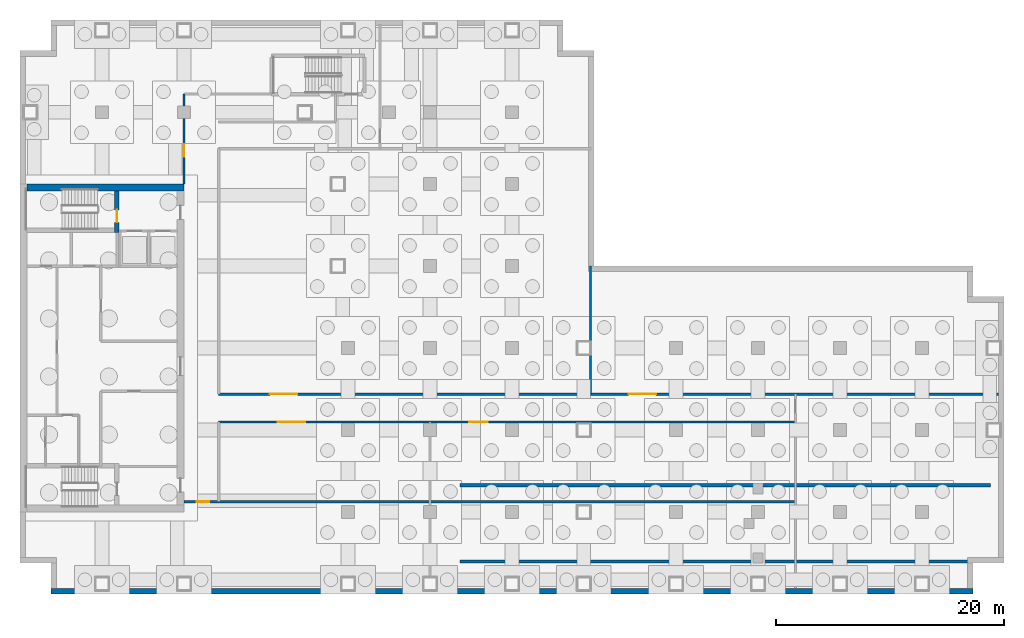
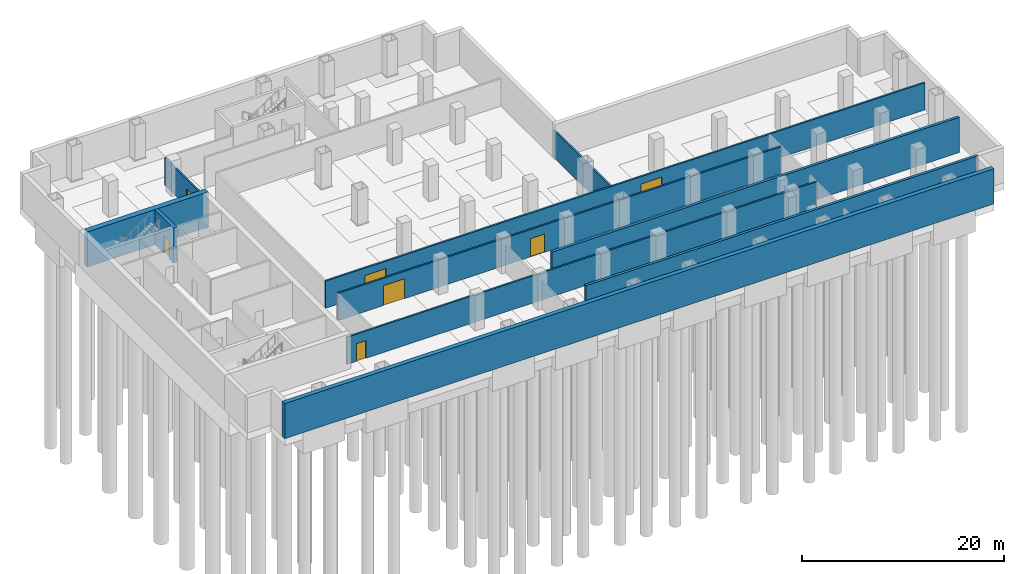
# One storey, part 6 of 11: 10 walls, 7 doors, 7 openings.
"""IFC4 building model written with IfcOpenShell, lengths in metres."""

from ifc_helpers import new_model, si_unit, direction, frame, frame_2d, origin, place, context, subcontext, project, spatial, rectangle, extrude, material, layer, layer_set, type_object, element, fill, save


model = new_model("IFC4")

# Units and contexts
model_context = context("Model", 3, precision=1e-05, world=origin(), true_north=direction((0.0, 1.0)))
body_context = subcontext(model_context, "Body", "Model", "MODEL_VIEW")
ifc_project = project(units=[si_unit("LENGTHUNIT", "METRE"), si_unit("AREAUNIT", "SQUARE_METRE"), si_unit("VOLUMEUNIT", "CUBIC_METRE"), si_unit("PLANEANGLEUNIT", "RADIAN"), si_unit("MASSUNIT", "GRAM", prefix="KILO")], contexts=[model_context])

# Site, building, storey
site_placement = place(None, origin())
site = spatial("IfcSite", under=ifc_project, at=site_placement, CompositionType="ELEMENT")
building_placement = place(site_placement, origin())
building = spatial("IfcBuilding", under=site, at=building_placement, Name="Cobrela Telecom Tower", CompositionType="ELEMENT")
storey_placement = place(building_placement, frame((0.0, 0.0, -9.10009765625)))
storey = spatial("IfcBuildingStorey", under=building, at=storey_placement, Name="B2", CompositionType="ELEMENT", Elevation=-9.10009765625)

# Walls
ifc_material_1 = material(Name="Concrete C50/60", Category="concrete")
ifc_layer_1 = layer(ifc_material_1, 0.60009765625)
ifc_layer_set_1 = layer_set([ifc_layer_1], Name="Concrete C50/60")
wall_type_1 = type_object("IfcWallType", Name="WALL-CORE-C50-600", PredefinedType="SHEAR", material=ifc_layer_set_1)
wall_1_placement = place(storey_placement, frame((0.60009765625, 35.699951171875, 0.0), z_axis=(0.0, 0.0, 1.0), x_axis=(1.0, 0.0, 0.0)))
element("IfcWall", 1, at=wall_1_placement, inside=storey, type_object=wall_type_1, Name="B2 North Core Shear Wall", PredefinedType="SHEAR", context=body_context, shape_type="SweptSolid", body=[
    extrude(rectangle(XDim=13.7998046875, YDim=0.60009765625, at=frame_2d((6.89990234375, 0.0))), origin(), (0.0, 0.0, 1.0), 4.25),
])
ifc_material_2 = material(Name="Concrete C40/50", Category="concrete")
ifc_layer_2 = layer(ifc_material_2, 0.5)
ifc_layer_set_2 = layer_set([ifc_layer_2], Name="Concrete C40/50")
wall_type_2 = type_object("IfcWallType", Name="WALL-RET-C40-500", PredefinedType="SOLIDWALL", material=ifc_layer_set_2)
wall_2_placement = place(storey_placement, frame((83.699951171875, 0.25, 0.0), z_axis=(0.0, 0.0, 1.0), x_axis=(-1.0, 0.0, 0.0)))
element("IfcWall", 2, at=wall_2_placement, inside=storey, type_object=wall_type_2, Name="B2 Basement Retaining Wall 16", PredefinedType="SOLIDWALL", context=body_context, shape_type="SweptSolid", body=[
    extrude(rectangle(XDim=81.0, YDim=0.5, at=frame_2d((40.5, 0.0))), origin(), (0.0, 0.0, 1.0), 4.25),
])

# Wall, opening, door
ifc_material_3 = material(Name="Fire-Rated Gypsum Plasterboard")
ifc_layer_3 = layer(ifc_material_3, 0.199951171875)
ifc_layer_set_3 = layer_set([ifc_layer_3], Name="Fire-Rated Gypsum Plasterboard")
wall_type_3 = type_object("IfcWallType", Name="WALL-SHAFT-200", PredefinedType="PARTITIONING", material=ifc_layer_set_3)
wall_3_placement = place(storey_placement, frame((14.39990234375, 8.10009765625, 0.0), z_axis=(0.0, 0.0, 1.0), x_axis=(1.0, 0.0, 0.0)))
wall_3 = element("IfcWall", 3, at=wall_3_placement, inside=storey, type_object=wall_type_3, Name="B2 Shaft Enclosure W-B2-S0", PredefinedType="PARTITIONING", context=body_context, shape_type="SweptSolid", body=[
    extrude(rectangle(XDim=53.7001953125, YDim=0.199951171875, at=frame_2d((26.85009765625, 0.0))), origin(), (0.0, 0.0, 1.0), 3.2880859375),
])
opening_1_placement = place(wall_3_placement, frame((1.10009765625, 0.0, 0.0)))
opening_1 = element("IfcOpeningElement", 4, at=opening_1_placement, cuts=wall_3, Name="Opening DR-59", PredefinedType="OPENING", context=body_context, shape_type="SweptSolid", body=[
    extrude(rectangle(XDim=1.10009765625, YDim=2.14990234375, at=frame_2d((0.550048828125, 1.074951171875))), frame((0.0, 0.11181640625, 0.0), z_axis=(0.0, -1.0, 0.0), x_axis=(1.0, 0.0, 0.0)), (0.0, 0.0, 1.0), 0.223876953125),
])
ifc_material_4 = material(Name="Steel ASTM A36", Category="steel")
door_type_1 = type_object("IfcDoorType", Name="DOOR-FD60-1100", OperationType="SINGLE_SWING_LEFT", PredefinedType="DOOR", material=ifc_material_4)
door_1_placement = place(opening_1_placement, origin())
door_1 = element("IfcDoor", 5, at=door_1_placement, inside=storey, type_object=door_type_1, Name="B2 Door DR-59", OperationType="SINGLE_SWING_LEFT", OverallHeight=2.14990234375, OverallWidth=1.10009765625, PredefinedType="DOOR", context=body_context, shape_type="SweptSolid", body=[
    extrude(rectangle(XDim=1.10009765625, YDim=2.14990234375, at=frame_2d((0.550048828125, 1.074951171875))), frame((0.0, 0.02490234375, 0.0), z_axis=(0.0, -1.0, 0.0), x_axis=(1.0, 0.0, 0.0)), (0.0, 0.0, 1.0), 0.050048828125),
])
fill(opening_1, door_1)

# Wall, openings, doors
wall_4_placement = place(storey_placement, frame((17.449951171875, 15.10009765625, 0.0), z_axis=(0.0, 0.0, 1.0), x_axis=(1.0, 0.0, 0.0)))
wall_4 = element("IfcWall", 6, at=wall_4_placement, inside=storey, type_object=wall_type_3, Name="B2 Shaft Enclosure W-B2-HS", PredefinedType="PARTITIONING", context=body_context, shape_type="SweptSolid", body=[
    extrude(rectangle(XDim=50.650146484375, YDim=0.199951171875, at=frame_2d((25.3251953125, 0.0))), origin(), (0.0, 0.0, 1.0), 3.2880859375),
])
opening_2_placement = place(wall_4_placement, frame((5.199951171875, 0.0, 0.0)))
opening_2 = element("IfcOpeningElement", 7, at=opening_2_placement, cuts=wall_4, Name="Opening VG-3", PredefinedType="OPENING", context=body_context, shape_type="SweptSolid", body=[
    extrude(rectangle(XDim=2.39990234375, YDim=2.39990234375, at=frame_2d((1.199951171875, 1.199951171875))), frame((0.0, 0.11181640625, 0.0), z_axis=(0.0, -1.0, 0.0), x_axis=(1.0, 0.0, 0.0)), (0.0, 0.0, 1.0), 0.223876953125),
])
opening_3_placement = place(wall_4_placement, frame((22.0, 0.0, 0.0)))
opening_3 = element("IfcOpeningElement", 8, at=opening_3_placement, cuts=wall_4, Name="Opening DR-51", PredefinedType="OPENING", context=body_context, shape_type="SweptSolid", body=[
    extrude(rectangle(XDim=1.60009765625, YDim=2.199951171875, at=frame_2d((0.800048828125, 1.10009765625))), frame((0.0, 0.11181640625, 0.0), z_axis=(0.0, -1.0, 0.0), x_axis=(1.0, 0.0, 0.0)), (0.0, 0.0, 1.0), 0.223876953125),
])
door_type_2 = type_object("IfcDoorType", Name="DOOR-FD60-1600", OperationType="SINGLE_SWING_LEFT", PredefinedType="DOOR", material=ifc_material_4)
door_2_placement = place(opening_3_placement, origin())
door_2 = element("IfcDoor", 9, at=door_2_placement, inside=storey, type_object=door_type_2, Name="B2 Door DR-51", OperationType="DOUBLE_DOOR_SINGLE_SWING", OverallHeight=2.199951171875, OverallWidth=1.60009765625, PredefinedType="DOOR", context=body_context, shape_type="SweptSolid", body=[
    extrude(rectangle(XDim=1.60009765625, YDim=2.199951171875, at=frame_2d((0.800048828125, 1.10009765625))), frame((0.0, 0.02490234375, 0.0), z_axis=(0.0, -1.0, 0.0), x_axis=(1.0, 0.0, 0.0)), (0.0, 0.0, 1.0), 0.050048828125),
])
fill(opening_3, door_2)
ifc_material_5 = material(Name="Anodized Bronze Aluminium 6063-T6", Category="aluminium")
door_type_3 = type_object("IfcDoorType", Name="GATE-SEC-2400", OperationType="SINGLE_SWING_LEFT", PredefinedType="GATE", material=ifc_material_5)
door_3_placement = place(opening_2_placement, origin())
door_3 = element("IfcDoor", 10, at=door_3_placement, inside=storey, type_object=door_type_3, Name="B2 Door VG-3", OperationType="DOUBLE_DOOR_SINGLE_SWING", OverallHeight=2.39990234375, OverallWidth=2.39990234375, PredefinedType="GATE", context=body_context, shape_type="SweptSolid", body=[
    extrude(rectangle(XDim=2.39990234375, YDim=2.39990234375, at=frame_2d((1.199951171875, 1.199951171875))), frame((0.0, 0.02490234375, 0.0), z_axis=(0.0, -1.0, 0.0), x_axis=(1.0, 0.0, 0.0)), (0.0, 0.0, 1.0), 0.050048828125),
])
fill(opening_2, door_3)

wall_5_placement = place(storey_placement, frame((17.449951171875, 17.550048828125, 0.0), z_axis=(0.0, 0.0, 1.0), x_axis=(1.0, 0.0, 0.0)))
wall_5 = element("IfcWall", 11, at=wall_5_placement, inside=storey, type_object=wall_type_3, Name="B2 Shaft Enclosure W-B2-HN", PredefinedType="PARTITIONING", context=body_context, shape_type="SweptSolid", body=[
    extrude(rectangle(XDim=68.449951171875, YDim=0.199951171875, at=frame_2d((34.22509765625, 0.0))), origin(), (0.0, 0.0, 1.0), 3.2880859375),
])
opening_4_placement = place(wall_5_placement, frame((4.5, 0.0, 0.0)))
opening_4 = element("IfcOpeningElement", 12, at=opening_4_placement, cuts=wall_5, Name="Opening VG-3", PredefinedType="OPENING", context=body_context, shape_type="SweptSolid", body=[
    extrude(rectangle(XDim=2.39990234375, YDim=2.39990234375, at=frame_2d((1.199951171875, 1.199951171875))), frame((0.0, 0.11181640625, 0.0), z_axis=(0.0, -1.0, 0.0), x_axis=(1.0, 0.0, 0.0)), (0.0, 0.0, 1.0), 0.223876953125),
])
opening_5_placement = place(wall_5_placement, frame((36.0, 0.0, 0.0)))
opening_5 = element("IfcOpeningElement", 13, at=opening_5_placement, cuts=wall_5, Name="Opening VG-3", PredefinedType="OPENING", context=body_context, shape_type="SweptSolid", body=[
    extrude(rectangle(XDim=2.39990234375, YDim=2.39990234375, at=frame_2d((1.199951171875, 1.199951171875))), frame((0.0, 0.11181640625, 0.0), z_axis=(0.0, -1.0, 0.0), x_axis=(1.0, 0.0, 0.0)), (0.0, 0.0, 1.0), 0.223876953125),
])
door_4_placement = place(opening_4_placement, origin())
door_4 = element("IfcDoor", 14, at=door_4_placement, inside=storey, type_object=door_type_3, Name="B2 Door VG-3", OperationType="DOUBLE_DOOR_SINGLE_SWING", OverallHeight=2.39990234375, OverallWidth=2.39990234375, PredefinedType="GATE", context=body_context, shape_type="SweptSolid", body=[
    extrude(rectangle(XDim=2.39990234375, YDim=2.39990234375, at=frame_2d((1.199951171875, 1.199951171875))), frame((0.0, 0.02490234375, 0.0), z_axis=(0.0, -1.0, 0.0), x_axis=(1.0, 0.0, 0.0)), (0.0, 0.0, 1.0), 0.050048828125),
])
fill(opening_4, door_4)
door_5_placement = place(opening_5_placement, origin())
door_5 = element("IfcDoor", 15, at=door_5_placement, inside=storey, type_object=door_type_3, Name="B2 Door VG-3", OperationType="DOUBLE_DOOR_SINGLE_SWING", OverallHeight=2.39990234375, OverallWidth=2.39990234375, PredefinedType="GATE", context=body_context, shape_type="SweptSolid", body=[
    extrude(rectangle(XDim=2.39990234375, YDim=2.39990234375, at=frame_2d((1.199951171875, 1.199951171875))), frame((0.0, 0.02490234375, 0.0), z_axis=(0.0, -1.0, 0.0), x_axis=(1.0, 0.0, 0.0)), (0.0, 0.0, 1.0), 0.050048828125),
])
fill(opening_5, door_5)

# Wall
wall_6_placement = place(storey_placement, frame((50.10009765625, 17.550048828125, 0.0), z_axis=(0.0, 0.0, 1.0), x_axis=(0.0, 1.0, 0.0)))
element("IfcWall", 16, at=wall_6_placement, inside=storey, type_object=wall_type_3, Name="B2 Shaft Enclosure W-B2-V1", PredefinedType="PARTITIONING", context=body_context, shape_type="SweptSolid", body=[
    extrude(rectangle(XDim=11.25, YDim=0.199951171875, at=frame_2d((5.625, 0.0))), origin(), (0.0, 0.0, 1.0), 3.2880859375),
])

# Wall, opening, door
wall_7_placement = place(storey_placement, frame((14.39990234375, 36.0, 0.0), z_axis=(0.0, 0.0, 1.0), x_axis=(0.0, 1.0, 0.0)))
wall_7 = element("IfcWall", 17, at=wall_7_placement, inside=storey, type_object=wall_type_3, Name="B2 Shaft Enclosure W-B2-FUELE", PredefinedType="PARTITIONING", context=body_context, shape_type="SweptSolid", body=[
    extrude(rectangle(XDim=7.89990234375, YDim=0.199951171875, at=frame_2d((3.949951171875, 0.0))), origin(), (0.0, 0.0, 1.0), 3.2880859375),
])
opening_6_placement = place(wall_7_placement, frame((2.39990234375, 0.0, 0.0)))
opening_6 = element("IfcOpeningElement", 18, at=opening_6_placement, cuts=wall_7, Name="Opening DR-59", PredefinedType="OPENING", context=body_context, shape_type="SweptSolid", body=[
    extrude(rectangle(XDim=1.10009765625, YDim=2.14990234375, at=frame_2d((0.550048828125, 1.074951171875))), frame((0.0, 0.11181640625, 0.0), z_axis=(0.0, -1.0, 0.0), x_axis=(1.0, 0.0, 0.0)), (0.0, 0.0, 1.0), 0.223876953125),
])
door_6_placement = place(opening_6_placement, origin())
door_6 = element("IfcDoor", 19, at=door_6_placement, inside=storey, type_object=door_type_1, Name="B2 Door DR-59", OperationType="SINGLE_SWING_RIGHT", OverallHeight=2.14990234375, OverallWidth=1.10009765625, PredefinedType="DOOR", context=body_context, shape_type="SweptSolid", body=[
    extrude(rectangle(XDim=1.10009765625, YDim=2.14990234375, at=frame_2d((0.550048828125, 1.074951171875))), frame((0.0, 0.02490234375, 0.0), z_axis=(0.0, -1.0, 0.0), x_axis=(1.0, 0.0, 0.0)), (0.0, 0.0, 1.0), 0.050048828125),
])
fill(opening_6, door_6)

ifc_layer_4 = layer(ifc_material_2, 0.39990234375)
ifc_layer_set_4 = layer_set([ifc_layer_4], Name="Concrete C40/50")
wall_type_4 = type_object("IfcWallType", Name="WALL-SHAFT-C40-400", PredefinedType="SHEAR", material=ifc_layer_set_4)
wall_8_placement = place(storey_placement, frame((8.5, 31.719970703125, 0.0), z_axis=(0.0, 0.0, 1.0), x_axis=(0.0, 1.0, 0.0)))
wall_8 = element("IfcWall", 20, at=wall_8_placement, inside=storey, type_object=wall_type_4, Name="B2 North Stair Lobby Shear Wall", PredefinedType="SHEAR", context=body_context, shape_type="SweptSolid", body=[
    extrude(rectangle(XDim=3.679931640625, YDim=0.39990234375, at=frame_2d((1.83984375, 0.0))), origin(), (0.0, 0.0, 1.0), 4.25),
])
opening_7_placement = place(wall_8_placement, frame((0.89990234375, 0.0, 0.0)))
opening_7 = element("IfcOpeningElement", 21, at=opening_7_placement, cuts=wall_8, Name="Opening DR-59", PredefinedType="OPENING", context=body_context, shape_type="SweptSolid", body=[
    extrude(rectangle(XDim=1.10009765625, YDim=2.14990234375, at=frame_2d((0.550048828125, 1.074951171875))), frame((0.0, 0.2119140625, 0.0), z_axis=(0.0, -1.0, 0.0), x_axis=(1.0, 0.0, 0.0)), (0.0, 0.0, 1.0), 0.423828125),
])
door_7_placement = place(opening_7_placement, origin())
door_7 = element("IfcDoor", 22, at=door_7_placement, inside=storey, type_object=door_type_1, Name="B2 Door DR-59", OperationType="SINGLE_SWING_RIGHT", OverallHeight=2.14990234375, OverallWidth=1.10009765625, PredefinedType="DOOR", context=body_context, shape_type="SweptSolid", body=[
    extrude(rectangle(XDim=1.10009765625, YDim=2.14990234375, at=frame_2d((0.550048828125, 1.074951171875))), frame((0.0, 0.02490234375, 0.0), z_axis=(0.0, -1.0, 0.0), x_axis=(1.0, 0.0, 0.0)), (0.0, 0.0, 1.0), 0.050048828125),
])
fill(opening_7, door_7)

# Walls
wall_9_placement = place(storey_placement, frame((38.64990234375, 2.85009765625, 0.0), z_axis=(0.0, 0.0, 1.0), x_axis=(1.0, 0.0, 0.0)))
element("IfcWall", 23, at=wall_9_placement, inside=storey, type_object=wall_type_4, Name="B2 Vehicle Ramp South Structural Shear Wall", PredefinedType="SHEAR", context=body_context, shape_type="SweptSolid", body=[
    extrude(rectangle(XDim=44.85009765625, YDim=0.300048828125, at=frame_2d((22.425048828125, 0.0))), origin(), (0.0, 0.0, 1.0), 4.25),
])
wall_10_placement = place(storey_placement, frame((38.64990234375, 9.550048828125, 0.0), z_axis=(0.0, 0.0, 1.0), x_axis=(1.0, 0.0, 0.0)))
element("IfcWall", 24, at=wall_10_placement, inside=storey, type_object=wall_type_4, Name="B2 Vehicle Ramp North Structural Shear Wall", PredefinedType="SHEAR", context=body_context, shape_type="SweptSolid", body=[
    extrude(rectangle(XDim=46.550048828125, YDim=0.300048828125, at=frame_2d((23.27490234375, 0.0))), origin(), (0.0, 0.0, 1.0), 4.25),
])

save(model, "model.ifc")
